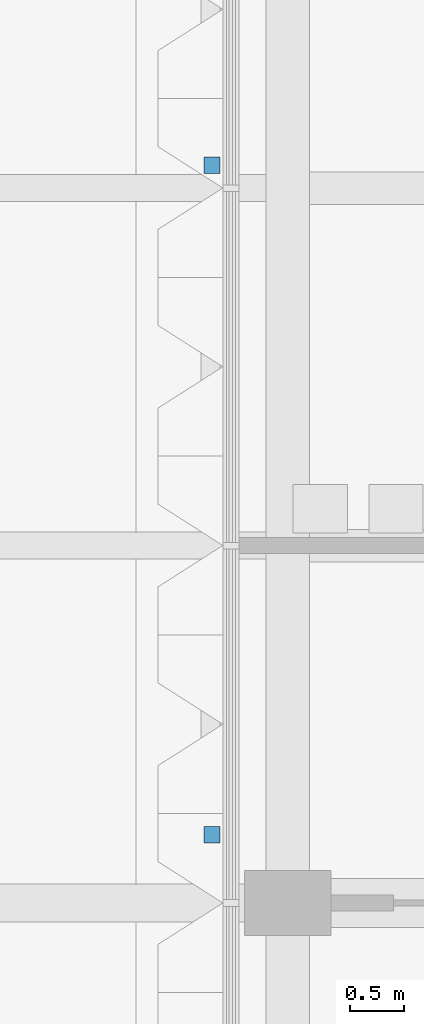
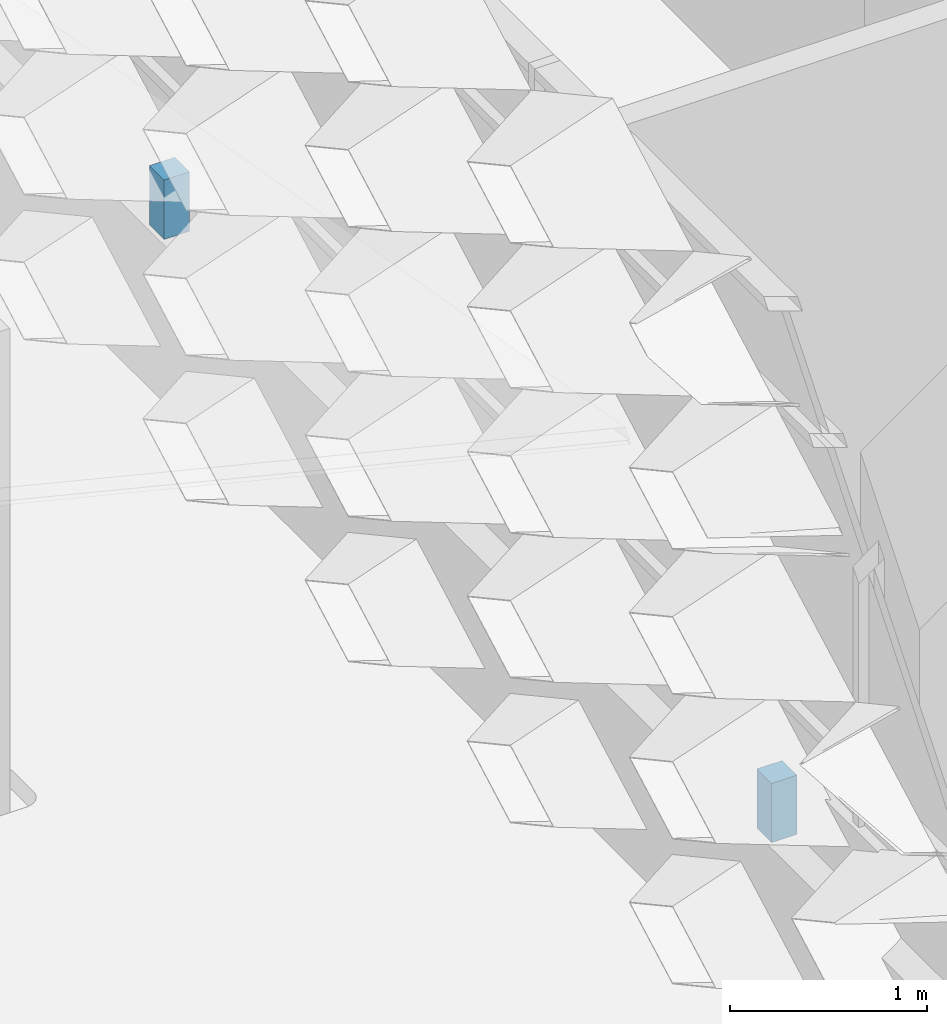
# One storey, part 18 of 39: 2 discrete accessories.
"""IFC4 building model written with IfcOpenShell, lengths in metres."""

from ifc_helpers import new_model, si_unit, direction, frame, origin, origin_2d, place, context, subcontext, project, spatial, rectangle, extrude, material, type_object, element, save


model = new_model("IFC4")

# Units and contexts
model_context = context("Model", 3, precision=1e-05, world=origin(), true_north=direction((0.0, 1.0)))
body_context = subcontext(model_context, "Body", "Model", "MODEL_VIEW")
ifc_project = project(units=[si_unit("LENGTHUNIT", "METRE"), si_unit("AREAUNIT", "SQUARE_METRE"), si_unit("VOLUMEUNIT", "CUBIC_METRE"), si_unit("PLANEANGLEUNIT", "RADIAN"), si_unit("MASSUNIT", "GRAM", prefix="KILO")], contexts=[model_context])

# Site, building, storey
site_placement = place(None, origin())
site = spatial("IfcSite", under=ifc_project, at=site_placement, CompositionType="ELEMENT")
building_placement = place(site_placement, origin())
building = spatial("IfcBuilding", under=site, at=building_placement, Name="Lantern Court Research Institute", CompositionType="ELEMENT")
storey_placement = place(building_placement, frame((0.0, 0.0, 27.89990234375)))
storey = spatial("IfcBuildingStorey", under=building, at=storey_placement, Name="L06", CompositionType="ELEMENT", Elevation=27.89990234375)

# Discrete accessories
ifc_material = material(Name="Structural steel S355", Category="steel")
discrete_accessory_type = type_object("IfcDiscreteAccessoryType", Name="Parasol roof post 150 x 150 steel", PredefinedType="BRACKET", material=ifc_material)
for number, where, z_axis, x_axis, name in (
    (1, (52.10009765625, 13.830078125, 1.10009765625), (0.0, 0.0, 1.0), (1.0, 0.0, 0.0), "Parasol roof post V4 40"),
    (2, (52.10009765625, 20.010009765625, 1.10009765625), (0.0, 0.0, 1.0), (1.0, 0.0, 0.0), "Parasol roof post V4 41"),
):
    element("IfcDiscreteAccessory", number, at=place(storey_placement, frame(where, z_axis=z_axis, x_axis=x_axis)), inside=storey, type_object=discrete_accessory_type, Name=name, PredefinedType="BRACKET", context=body_context, shape_type="SweptSolid", body=[
        extrude(rectangle(XDim=0.14990234375, YDim=0.14990234375, at=origin_2d()), origin(), (0.0, 0.0, 1.0), 0.36865234375),
    ])

save(model, "model.ifc")
